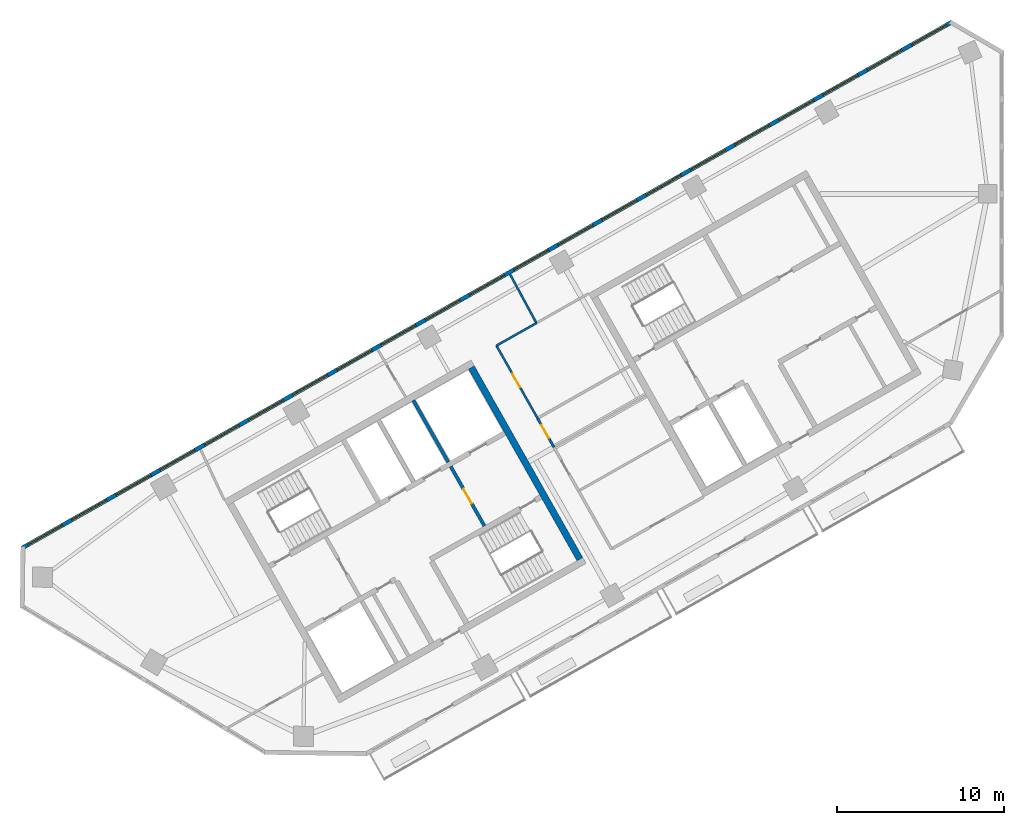
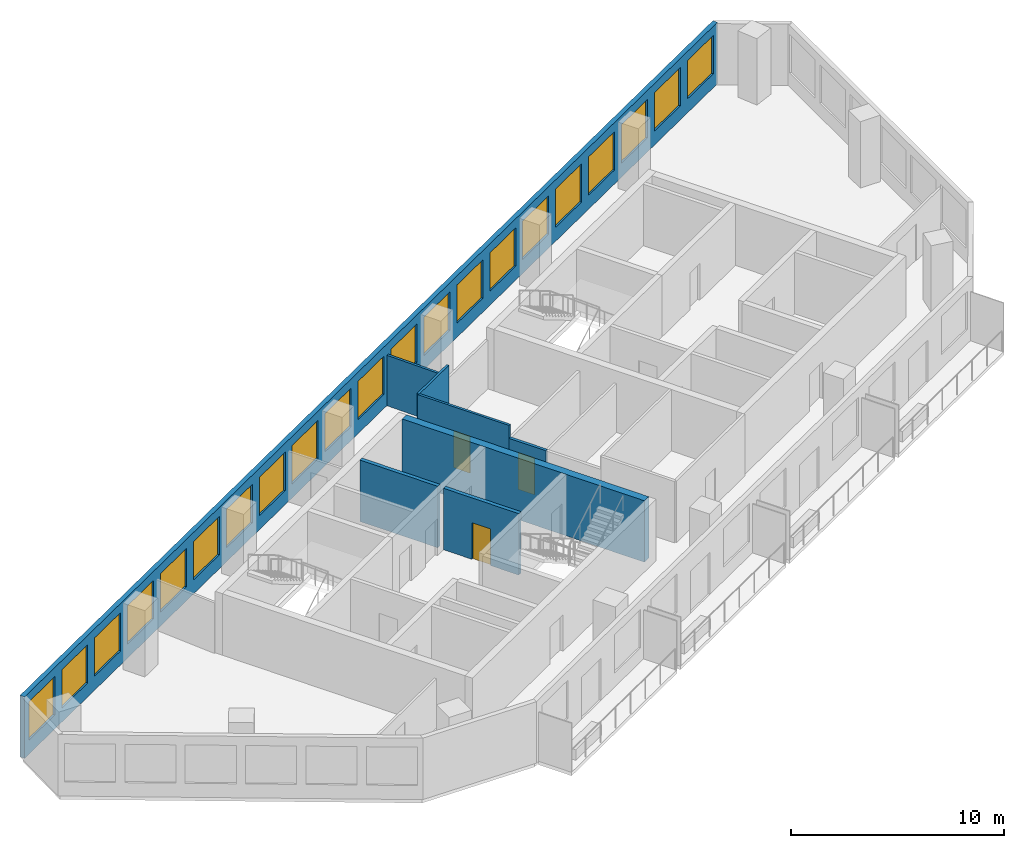
# One storey, part 3 of 7: 21 windows, 8 walls, 3 doors, 24 openings.
"""IFC4 building model written with IfcOpenShell, lengths in metres."""

from ifc_helpers import new_model, si_unit, direction, frame, frame_2d, origin, place, context, subcontext, project, spatial, rectangle, extrude, material, layer, layer_set, type_object, element, fill, save


model = new_model("IFC4")

# Units and contexts
model_context = context("Model", 3, precision=1e-05, world=origin(), true_north=direction((0.0, 1.0)))
body_context = subcontext(model_context, "Body", "Model", "MODEL_VIEW")
ifc_project = project(units=[si_unit("LENGTHUNIT", "METRE"), si_unit("AREAUNIT", "SQUARE_METRE"), si_unit("VOLUMEUNIT", "CUBIC_METRE"), si_unit("PLANEANGLEUNIT", "RADIAN"), si_unit("MASSUNIT", "GRAM", prefix="KILO")], contexts=[model_context])

# Site, building, storey
site_placement = place(None, origin())
site = spatial("IfcSite", under=ifc_project, at=site_placement, CompositionType="ELEMENT")
building_placement = place(site_placement, origin())
building = spatial("IfcBuilding", under=site, at=building_placement, Name="Binnacle Exchange Tower", CompositionType="ELEMENT")
storey_placement = place(building_placement, frame((0.0, 0.0, 274.10009765625)))
storey = spatial("IfcBuildingStorey", under=building, at=storey_placement, Name="L61", CompositionType="ELEMENT", Elevation=274.10009765625)

# Wall
ifc_material_1 = material(Name="Concrete C70/85", Category="concrete")
ifc_layer_1 = layer(ifc_material_1, 0.39990234375)
ifc_layer_set_1 = layer_set([ifc_layer_1], Name="Core wall - outer 400")
wall_type_1 = type_object("IfcWallType", Name="Core wall - outer 400", PredefinedType="SOLIDWALL", material=ifc_layer_set_1)
wall_1_placement = place(storey_placement, frame((-31.78955078125, 49.597412109375, 0.0), z_axis=(0.0, 0.0, 1.0), x_axis=(0.492421663121, -0.870356769198, 0.0)))
element("IfcWall", 1, at=wall_1_placement, inside=storey, type_object=wall_type_1, Name="Core wall CRWA22", PredefinedType="SOLIDWALL", context=body_context, shape_type="SweptSolid", body=[
    extrude(rectangle(XDim=13.199951171875, YDim=0.39990234375, at=frame_2d((6.60009765625, 0.0))), origin(), (0.0, 0.0, 1.0), 3.52001953125),
])

# Wall, openings, windows
ifc_material_2 = material(Name="Bronze aluminium cladding", Category="aluminium")
ifc_layer_2 = layer(ifc_material_2, 0.25)
ifc_layer_set_2 = layer_set([ifc_layer_2], Name="External wall - window wall 250")
wall_type_2 = type_object("IfcWallType", Name="External wall - window wall 250", PredefinedType="STANDARD", material=ifc_layer_set_2)
wall_2_placement = place(storey_placement, frame((-58.732177734375, 38.770751953125, 0.0), z_axis=(0.0, 0.0, 1.0), x_axis=(0.870355615581, 0.492423702137, 0.0)))
wall_2 = element("IfcWall", 2, at=wall_2_placement, inside=storey, type_object=wall_type_2, Name="External wall EW-H03 L61", PredefinedType="STANDARD", context=body_context, shape_type="SweptSolid", body=[
    extrude(rectangle(XDim=64.052490234375, YDim=0.25, at=frame_2d((32.0263671875, 0.0))), origin(), (0.0, 0.0, 1.0), 3.52001953125),
])
opening_1_placement = place(wall_2_placement, frame((61.25927734375, 0.0, 0.800048828125)))
opening_1 = element("IfcOpeningElement", 3, at=opening_1_placement, cuts=wall_2, Name="Opening WR2", PredefinedType="OPENING", context=body_context, shape_type="SweptSolid", body=[
    extrude(rectangle(XDim=2.39990234375, YDim=2.199951171875, at=frame_2d((1.199951171875, 1.10009765625))), frame((0.0, 0.135009765625, 0.0), z_axis=(0.0, -1.0, 0.0), x_axis=(1.0, 0.0, 0.0)), (0.0, 0.0, 1.0), 0.27001953125),
])
opening_2_placement = place(wall_2_placement, frame((58.2158203125, 0.0, 0.800048828125)))
opening_2 = element("IfcOpeningElement", 4, at=opening_2_placement, cuts=wall_2, Name="Opening WR2", PredefinedType="OPENING", context=body_context, shape_type="SweptSolid", body=[
    extrude(rectangle(XDim=2.39990234375, YDim=2.199951171875, at=frame_2d((1.199951171875, 1.10009765625))), frame((0.0, 0.135009765625, 0.0), z_axis=(0.0, -1.0, 0.0), x_axis=(1.0, 0.0, 0.0)), (0.0, 0.0, 1.0), 0.27001953125),
])
opening_3_placement = place(wall_2_placement, frame((55.172607421875, 0.0, 0.800048828125)))
opening_3 = element("IfcOpeningElement", 5, at=opening_3_placement, cuts=wall_2, Name="Opening WR2", PredefinedType="OPENING", context=body_context, shape_type="SweptSolid", body=[
    extrude(rectangle(XDim=2.39990234375, YDim=2.199951171875, at=frame_2d((1.199951171875, 1.10009765625))), frame((0.0, 0.135009765625, 0.0), z_axis=(0.0, -1.0, 0.0), x_axis=(1.0, 0.0, 0.0)), (0.0, 0.0, 1.0), 0.27001953125),
])
opening_4_placement = place(wall_2_placement, frame((52.12939453125, 0.0, 0.800048828125)))
opening_4 = element("IfcOpeningElement", 6, at=opening_4_placement, cuts=wall_2, Name="Opening WR2", PredefinedType="OPENING", context=body_context, shape_type="SweptSolid", body=[
    extrude(rectangle(XDim=2.39990234375, YDim=2.199951171875, at=frame_2d((1.199951171875, 1.10009765625))), frame((0.0, 0.135009765625, 0.0), z_axis=(0.0, -1.0, 0.0), x_axis=(1.0, 0.0, 0.0)), (0.0, 0.0, 1.0), 0.27001953125),
])
opening_5_placement = place(wall_2_placement, frame((49.0859375, 0.0, 0.800048828125)))
opening_5 = element("IfcOpeningElement", 7, at=opening_5_placement, cuts=wall_2, Name="Opening WR2", PredefinedType="OPENING", context=body_context, shape_type="SweptSolid", body=[
    extrude(rectangle(XDim=2.39990234375, YDim=2.199951171875, at=frame_2d((1.199951171875, 1.10009765625))), frame((0.0, 0.135009765625, 0.0), z_axis=(0.0, -1.0, 0.0), x_axis=(1.0, 0.0, 0.0)), (0.0, 0.0, 1.0), 0.27001953125),
])
opening_6_placement = place(wall_2_placement, frame((46.042724609375, 0.0, 0.800048828125)))
opening_6 = element("IfcOpeningElement", 8, at=opening_6_placement, cuts=wall_2, Name="Opening WR2", PredefinedType="OPENING", context=body_context, shape_type="SweptSolid", body=[
    extrude(rectangle(XDim=2.39990234375, YDim=2.199951171875, at=frame_2d((1.199951171875, 1.10009765625))), frame((0.0, 0.135009765625, 0.0), z_axis=(0.0, -1.0, 0.0), x_axis=(1.0, 0.0, 0.0)), (0.0, 0.0, 1.0), 0.27001953125),
])
opening_7_placement = place(wall_2_placement, frame((42.99951171875, 0.0, 0.800048828125)))
opening_7 = element("IfcOpeningElement", 9, at=opening_7_placement, cuts=wall_2, Name="Opening WR2", PredefinedType="OPENING", context=body_context, shape_type="SweptSolid", body=[
    extrude(rectangle(XDim=2.39990234375, YDim=2.199951171875, at=frame_2d((1.199951171875, 1.10009765625))), frame((0.0, 0.135009765625, 0.0), z_axis=(0.0, -1.0, 0.0), x_axis=(1.0, 0.0, 0.0)), (0.0, 0.0, 1.0), 0.27001953125),
])
opening_8_placement = place(wall_2_placement, frame((39.956298828125, 0.0, 0.800048828125)))
opening_8 = element("IfcOpeningElement", 10, at=opening_8_placement, cuts=wall_2, Name="Opening WR2", PredefinedType="OPENING", context=body_context, shape_type="SweptSolid", body=[
    extrude(rectangle(XDim=2.39990234375, YDim=2.199951171875, at=frame_2d((1.199951171875, 1.10009765625))), frame((0.0, 0.135009765625, 0.0), z_axis=(0.0, -1.0, 0.0), x_axis=(1.0, 0.0, 0.0)), (0.0, 0.0, 1.0), 0.27001953125),
])
opening_9_placement = place(wall_2_placement, frame((36.912841796875, 0.0, 0.800048828125)))
opening_9 = element("IfcOpeningElement", 11, at=opening_9_placement, cuts=wall_2, Name="Opening WR2", PredefinedType="OPENING", context=body_context, shape_type="SweptSolid", body=[
    extrude(rectangle(XDim=2.39990234375, YDim=2.199951171875, at=frame_2d((1.199951171875, 1.10009765625))), frame((0.0, 0.135009765625, 0.0), z_axis=(0.0, -1.0, 0.0), x_axis=(1.0, 0.0, 0.0)), (0.0, 0.0, 1.0), 0.27001953125),
])
opening_10_placement = place(wall_2_placement, frame((33.86962890625, 0.0, 0.800048828125)))
opening_10 = element("IfcOpeningElement", 12, at=opening_10_placement, cuts=wall_2, Name="Opening WR2", PredefinedType="OPENING", context=body_context, shape_type="SweptSolid", body=[
    extrude(rectangle(XDim=2.39990234375, YDim=2.199951171875, at=frame_2d((1.199951171875, 1.10009765625))), frame((0.0, 0.135009765625, 0.0), z_axis=(0.0, -1.0, 0.0), x_axis=(1.0, 0.0, 0.0)), (0.0, 0.0, 1.0), 0.27001953125),
])
opening_11_placement = place(wall_2_placement, frame((30.826416015625, 0.0, 0.800048828125)))
opening_11 = element("IfcOpeningElement", 13, at=opening_11_placement, cuts=wall_2, Name="Opening WR2", PredefinedType="OPENING", context=body_context, shape_type="SweptSolid", body=[
    extrude(rectangle(XDim=2.39990234375, YDim=2.199951171875, at=frame_2d((1.199951171875, 1.10009765625))), frame((0.0, 0.135009765625, 0.0), z_axis=(0.0, -1.0, 0.0), x_axis=(1.0, 0.0, 0.0)), (0.0, 0.0, 1.0), 0.27001953125),
])
opening_12_placement = place(wall_2_placement, frame((27.782958984375, 0.0, 0.800048828125)))
opening_12 = element("IfcOpeningElement", 14, at=opening_12_placement, cuts=wall_2, Name="Opening WR2", PredefinedType="OPENING", context=body_context, shape_type="SweptSolid", body=[
    extrude(rectangle(XDim=2.39990234375, YDim=2.199951171875, at=frame_2d((1.199951171875, 1.10009765625))), frame((0.0, 0.135009765625, 0.0), z_axis=(0.0, -1.0, 0.0), x_axis=(1.0, 0.0, 0.0)), (0.0, 0.0, 1.0), 0.27001953125),
])
opening_13_placement = place(wall_2_placement, frame((24.73974609375, 0.0, 0.800048828125)))
opening_13 = element("IfcOpeningElement", 15, at=opening_13_placement, cuts=wall_2, Name="Opening WR2", PredefinedType="OPENING", context=body_context, shape_type="SweptSolid", body=[
    extrude(rectangle(XDim=2.39990234375, YDim=2.199951171875, at=frame_2d((1.199951171875, 1.10009765625))), frame((0.0, 0.135009765625, 0.0), z_axis=(0.0, -1.0, 0.0), x_axis=(1.0, 0.0, 0.0)), (0.0, 0.0, 1.0), 0.27001953125),
])
opening_14_placement = place(wall_2_placement, frame((21.6962890625, 0.0, 0.800048828125)))
opening_14 = element("IfcOpeningElement", 16, at=opening_14_placement, cuts=wall_2, Name="Opening WR2", PredefinedType="OPENING", context=body_context, shape_type="SweptSolid", body=[
    extrude(rectangle(XDim=2.39990234375, YDim=2.199951171875, at=frame_2d((1.199951171875, 1.10009765625))), frame((0.0, 0.135009765625, 0.0), z_axis=(0.0, -1.0, 0.0), x_axis=(1.0, 0.0, 0.0)), (0.0, 0.0, 1.0), 0.27001953125),
])
opening_15_placement = place(wall_2_placement, frame((18.6533203125, 0.0, 0.800048828125)))
opening_15 = element("IfcOpeningElement", 17, at=opening_15_placement, cuts=wall_2, Name="Opening WR2", PredefinedType="OPENING", context=body_context, shape_type="SweptSolid", body=[
    extrude(rectangle(XDim=2.39990234375, YDim=2.199951171875, at=frame_2d((1.199951171875, 1.10009765625))), frame((0.0, 0.135009765625, 0.0), z_axis=(0.0, -1.0, 0.0), x_axis=(1.0, 0.0, 0.0)), (0.0, 0.0, 1.0), 0.27001953125),
])
opening_16_placement = place(wall_2_placement, frame((15.60986328125, 0.0, 0.800048828125)))
opening_16 = element("IfcOpeningElement", 18, at=opening_16_placement, cuts=wall_2, Name="Opening WR2", PredefinedType="OPENING", context=body_context, shape_type="SweptSolid", body=[
    extrude(rectangle(XDim=2.39990234375, YDim=2.199951171875, at=frame_2d((1.199951171875, 1.10009765625))), frame((0.0, 0.135009765625, 0.0), z_axis=(0.0, -1.0, 0.0), x_axis=(1.0, 0.0, 0.0)), (0.0, 0.0, 1.0), 0.27001953125),
])
opening_17_placement = place(wall_2_placement, frame((12.566650390625, 0.0, 0.800048828125)))
opening_17 = element("IfcOpeningElement", 19, at=opening_17_placement, cuts=wall_2, Name="Opening WR2", PredefinedType="OPENING", context=body_context, shape_type="SweptSolid", body=[
    extrude(rectangle(XDim=2.39990234375, YDim=2.199951171875, at=frame_2d((1.199951171875, 1.10009765625))), frame((0.0, 0.135009765625, 0.0), z_axis=(0.0, -1.0, 0.0), x_axis=(1.0, 0.0, 0.0)), (0.0, 0.0, 1.0), 0.27001953125),
])
opening_18_placement = place(wall_2_placement, frame((9.523193359375, 0.0, 0.800048828125)))
opening_18 = element("IfcOpeningElement", 20, at=opening_18_placement, cuts=wall_2, Name="Opening WR2", PredefinedType="OPENING", context=body_context, shape_type="SweptSolid", body=[
    extrude(rectangle(XDim=2.39990234375, YDim=2.199951171875, at=frame_2d((1.199951171875, 1.10009765625))), frame((0.0, 0.135009765625, 0.0), z_axis=(0.0, -1.0, 0.0), x_axis=(1.0, 0.0, 0.0)), (0.0, 0.0, 1.0), 0.27001953125),
])
opening_19_placement = place(wall_2_placement, frame((6.47998046875, 0.0, 0.800048828125)))
opening_19 = element("IfcOpeningElement", 21, at=opening_19_placement, cuts=wall_2, Name="Opening WR2", PredefinedType="OPENING", context=body_context, shape_type="SweptSolid", body=[
    extrude(rectangle(XDim=2.39990234375, YDim=2.199951171875, at=frame_2d((1.199951171875, 1.10009765625))), frame((0.0, 0.135009765625, 0.0), z_axis=(0.0, -1.0, 0.0), x_axis=(1.0, 0.0, 0.0)), (0.0, 0.0, 1.0), 0.27001953125),
])
opening_20_placement = place(wall_2_placement, frame((3.436767578125, 0.0, 0.800048828125)))
opening_20 = element("IfcOpeningElement", 22, at=opening_20_placement, cuts=wall_2, Name="Opening WR2", PredefinedType="OPENING", context=body_context, shape_type="SweptSolid", body=[
    extrude(rectangle(XDim=2.39990234375, YDim=2.199951171875, at=frame_2d((1.199951171875, 1.10009765625))), frame((0.0, 0.135009765625, 0.0), z_axis=(0.0, -1.0, 0.0), x_axis=(1.0, 0.0, 0.0)), (0.0, 0.0, 1.0), 0.27001953125),
])
opening_21_placement = place(wall_2_placement, frame((0.393310546875, 0.0, 0.800048828125)))
opening_21 = element("IfcOpeningElement", 23, at=opening_21_placement, cuts=wall_2, Name="Opening WR2", PredefinedType="OPENING", context=body_context, shape_type="SweptSolid", body=[
    extrude(rectangle(XDim=2.39990234375, YDim=2.199951171875, at=frame_2d((1.199951171875, 1.10009765625))), frame((0.0, 0.135009765625, 0.0), z_axis=(0.0, -1.0, 0.0), x_axis=(1.0, 0.0, 0.0)), (0.0, 0.0, 1.0), 0.27001953125),
])
ifc_material_3 = material(Name="Bronze anodised aluminium frame", Category="aluminium")
window_type = type_object("IfcWindowType", Name="WR2 WINDOW 2400x2200", PartitioningType="SINGLE_PANEL", PredefinedType="WINDOW", material=ifc_material_3)
window_1_placement = place(opening_1_placement, origin())
window_1 = element("IfcWindow", 24, at=window_1_placement, inside=storey, type_object=window_type, Name="Window WR2 L61", OverallHeight=2.199951171875, OverallWidth=2.39990234375, PartitioningType="SINGLE_PANEL", PredefinedType="WINDOW", context=body_context, shape_type="SweptSolid", body=[
    extrude(rectangle(XDim=2.39990234375, YDim=2.199951171875, at=frame_2d((1.199951171875, 1.10009765625))), frame((0.0, 0.030029296875, 0.0), z_axis=(0.0, -1.0, 0.0), x_axis=(1.0, 0.0, 0.0)), (0.0, 0.0, 1.0), 0.06005859375),
])
fill(opening_1, window_1)
window_2_placement = place(opening_2_placement, origin())
window_2 = element("IfcWindow", 25, at=window_2_placement, inside=storey, type_object=window_type, Name="Window WR2 L61", OverallHeight=2.199951171875, OverallWidth=2.39990234375, PartitioningType="SINGLE_PANEL", PredefinedType="WINDOW", context=body_context, shape_type="SweptSolid", body=[
    extrude(rectangle(XDim=2.39990234375, YDim=2.199951171875, at=frame_2d((1.199951171875, 1.10009765625))), frame((0.0, 0.030029296875, 0.0), z_axis=(0.0, -1.0, 0.0), x_axis=(1.0, 0.0, 0.0)), (0.0, 0.0, 1.0), 0.06005859375),
])
fill(opening_2, window_2)
window_3_placement = place(opening_3_placement, origin())
window_3 = element("IfcWindow", 26, at=window_3_placement, inside=storey, type_object=window_type, Name="Window WR2 L61", OverallHeight=2.199951171875, OverallWidth=2.39990234375, PartitioningType="SINGLE_PANEL", PredefinedType="WINDOW", context=body_context, shape_type="SweptSolid", body=[
    extrude(rectangle(XDim=2.39990234375, YDim=2.199951171875, at=frame_2d((1.199951171875, 1.10009765625))), frame((0.0, 0.030029296875, 0.0), z_axis=(0.0, -1.0, 0.0), x_axis=(1.0, 0.0, 0.0)), (0.0, 0.0, 1.0), 0.06005859375),
])
fill(opening_3, window_3)
window_4_placement = place(opening_4_placement, origin())
window_4 = element("IfcWindow", 27, at=window_4_placement, inside=storey, type_object=window_type, Name="Window WR2 L61", OverallHeight=2.199951171875, OverallWidth=2.39990234375, PartitioningType="SINGLE_PANEL", PredefinedType="WINDOW", context=body_context, shape_type="SweptSolid", body=[
    extrude(rectangle(XDim=2.39990234375, YDim=2.199951171875, at=frame_2d((1.199951171875, 1.10009765625))), frame((0.0, 0.030029296875, 0.0), z_axis=(0.0, -1.0, 0.0), x_axis=(1.0, 0.0, 0.0)), (0.0, 0.0, 1.0), 0.06005859375),
])
fill(opening_4, window_4)
window_5_placement = place(opening_5_placement, origin())
window_5 = element("IfcWindow", 28, at=window_5_placement, inside=storey, type_object=window_type, Name="Window WR2 L61", OverallHeight=2.199951171875, OverallWidth=2.39990234375, PartitioningType="SINGLE_PANEL", PredefinedType="WINDOW", context=body_context, shape_type="SweptSolid", body=[
    extrude(rectangle(XDim=2.39990234375, YDim=2.199951171875, at=frame_2d((1.199951171875, 1.10009765625))), frame((0.0, 0.030029296875, 0.0), z_axis=(0.0, -1.0, 0.0), x_axis=(1.0, 0.0, 0.0)), (0.0, 0.0, 1.0), 0.06005859375),
])
fill(opening_5, window_5)
window_6_placement = place(opening_6_placement, origin())
window_6 = element("IfcWindow", 29, at=window_6_placement, inside=storey, type_object=window_type, Name="Window WR2 L61", OverallHeight=2.199951171875, OverallWidth=2.39990234375, PartitioningType="SINGLE_PANEL", PredefinedType="WINDOW", context=body_context, shape_type="SweptSolid", body=[
    extrude(rectangle(XDim=2.39990234375, YDim=2.199951171875, at=frame_2d((1.199951171875, 1.10009765625))), frame((0.0, 0.030029296875, 0.0), z_axis=(0.0, -1.0, 0.0), x_axis=(1.0, 0.0, 0.0)), (0.0, 0.0, 1.0), 0.06005859375),
])
fill(opening_6, window_6)
window_7_placement = place(opening_7_placement, origin())
window_7 = element("IfcWindow", 30, at=window_7_placement, inside=storey, type_object=window_type, Name="Window WR2 L61", OverallHeight=2.199951171875, OverallWidth=2.39990234375, PartitioningType="SINGLE_PANEL", PredefinedType="WINDOW", context=body_context, shape_type="SweptSolid", body=[
    extrude(rectangle(XDim=2.39990234375, YDim=2.199951171875, at=frame_2d((1.199951171875, 1.10009765625))), frame((0.0, 0.030029296875, 0.0), z_axis=(0.0, -1.0, 0.0), x_axis=(1.0, 0.0, 0.0)), (0.0, 0.0, 1.0), 0.06005859375),
])
fill(opening_7, window_7)
window_8_placement = place(opening_8_placement, origin())
window_8 = element("IfcWindow", 31, at=window_8_placement, inside=storey, type_object=window_type, Name="Window WR2 L61", OverallHeight=2.199951171875, OverallWidth=2.39990234375, PartitioningType="SINGLE_PANEL", PredefinedType="WINDOW", context=body_context, shape_type="SweptSolid", body=[
    extrude(rectangle(XDim=2.39990234375, YDim=2.199951171875, at=frame_2d((1.199951171875, 1.10009765625))), frame((0.0, 0.030029296875, 0.0), z_axis=(0.0, -1.0, 0.0), x_axis=(1.0, 0.0, 0.0)), (0.0, 0.0, 1.0), 0.06005859375),
])
fill(opening_8, window_8)
window_9_placement = place(opening_9_placement, origin())
window_9 = element("IfcWindow", 32, at=window_9_placement, inside=storey, type_object=window_type, Name="Window WR2 L61", OverallHeight=2.199951171875, OverallWidth=2.39990234375, PartitioningType="SINGLE_PANEL", PredefinedType="WINDOW", context=body_context, shape_type="SweptSolid", body=[
    extrude(rectangle(XDim=2.39990234375, YDim=2.199951171875, at=frame_2d((1.199951171875, 1.10009765625))), frame((0.0, 0.030029296875, 0.0), z_axis=(0.0, -1.0, 0.0), x_axis=(1.0, 0.0, 0.0)), (0.0, 0.0, 1.0), 0.06005859375),
])
fill(opening_9, window_9)
window_10_placement = place(opening_10_placement, origin())
window_10 = element("IfcWindow", 33, at=window_10_placement, inside=storey, type_object=window_type, Name="Window WR2 L61", OverallHeight=2.199951171875, OverallWidth=2.39990234375, PartitioningType="SINGLE_PANEL", PredefinedType="WINDOW", context=body_context, shape_type="SweptSolid", body=[
    extrude(rectangle(XDim=2.39990234375, YDim=2.199951171875, at=frame_2d((1.199951171875, 1.10009765625))), frame((0.0, 0.030029296875, 0.0), z_axis=(0.0, -1.0, 0.0), x_axis=(1.0, 0.0, 0.0)), (0.0, 0.0, 1.0), 0.06005859375),
])
fill(opening_10, window_10)
window_11_placement = place(opening_11_placement, origin())
window_11 = element("IfcWindow", 34, at=window_11_placement, inside=storey, type_object=window_type, Name="Window WR2 L61", OverallHeight=2.199951171875, OverallWidth=2.39990234375, PartitioningType="SINGLE_PANEL", PredefinedType="WINDOW", context=body_context, shape_type="SweptSolid", body=[
    extrude(rectangle(XDim=2.39990234375, YDim=2.199951171875, at=frame_2d((1.199951171875, 1.10009765625))), frame((0.0, 0.030029296875, 0.0), z_axis=(0.0, -1.0, 0.0), x_axis=(1.0, 0.0, 0.0)), (0.0, 0.0, 1.0), 0.06005859375),
])
fill(opening_11, window_11)
window_12_placement = place(opening_12_placement, origin())
window_12 = element("IfcWindow", 35, at=window_12_placement, inside=storey, type_object=window_type, Name="Window WR2 L61", OverallHeight=2.199951171875, OverallWidth=2.39990234375, PartitioningType="SINGLE_PANEL", PredefinedType="WINDOW", context=body_context, shape_type="SweptSolid", body=[
    extrude(rectangle(XDim=2.39990234375, YDim=2.199951171875, at=frame_2d((1.199951171875, 1.10009765625))), frame((0.0, 0.030029296875, 0.0), z_axis=(0.0, -1.0, 0.0), x_axis=(1.0, 0.0, 0.0)), (0.0, 0.0, 1.0), 0.06005859375),
])
fill(opening_12, window_12)
window_13_placement = place(opening_13_placement, origin())
window_13 = element("IfcWindow", 36, at=window_13_placement, inside=storey, type_object=window_type, Name="Window WR2 L61", OverallHeight=2.199951171875, OverallWidth=2.39990234375, PartitioningType="SINGLE_PANEL", PredefinedType="WINDOW", context=body_context, shape_type="SweptSolid", body=[
    extrude(rectangle(XDim=2.39990234375, YDim=2.199951171875, at=frame_2d((1.199951171875, 1.10009765625))), frame((0.0, 0.030029296875, 0.0), z_axis=(0.0, -1.0, 0.0), x_axis=(1.0, 0.0, 0.0)), (0.0, 0.0, 1.0), 0.06005859375),
])
fill(opening_13, window_13)
window_14_placement = place(opening_14_placement, origin())
window_14 = element("IfcWindow", 37, at=window_14_placement, inside=storey, type_object=window_type, Name="Window WR2 L61", OverallHeight=2.199951171875, OverallWidth=2.39990234375, PartitioningType="SINGLE_PANEL", PredefinedType="WINDOW", context=body_context, shape_type="SweptSolid", body=[
    extrude(rectangle(XDim=2.39990234375, YDim=2.199951171875, at=frame_2d((1.199951171875, 1.10009765625))), frame((0.0, 0.030029296875, 0.0), z_axis=(0.0, -1.0, 0.0), x_axis=(1.0, 0.0, 0.0)), (0.0, 0.0, 1.0), 0.06005859375),
])
fill(opening_14, window_14)
window_15_placement = place(opening_15_placement, origin())
window_15 = element("IfcWindow", 38, at=window_15_placement, inside=storey, type_object=window_type, Name="Window WR2 L61", OverallHeight=2.199951171875, OverallWidth=2.39990234375, PartitioningType="SINGLE_PANEL", PredefinedType="WINDOW", context=body_context, shape_type="SweptSolid", body=[
    extrude(rectangle(XDim=2.39990234375, YDim=2.199951171875, at=frame_2d((1.199951171875, 1.10009765625))), frame((0.0, 0.030029296875, 0.0), z_axis=(0.0, -1.0, 0.0), x_axis=(1.0, 0.0, 0.0)), (0.0, 0.0, 1.0), 0.06005859375),
])
fill(opening_15, window_15)
window_16_placement = place(opening_16_placement, origin())
window_16 = element("IfcWindow", 39, at=window_16_placement, inside=storey, type_object=window_type, Name="Window WR2 L61", OverallHeight=2.199951171875, OverallWidth=2.39990234375, PartitioningType="SINGLE_PANEL", PredefinedType="WINDOW", context=body_context, shape_type="SweptSolid", body=[
    extrude(rectangle(XDim=2.39990234375, YDim=2.199951171875, at=frame_2d((1.199951171875, 1.10009765625))), frame((0.0, 0.030029296875, 0.0), z_axis=(0.0, -1.0, 0.0), x_axis=(1.0, 0.0, 0.0)), (0.0, 0.0, 1.0), 0.06005859375),
])
fill(opening_16, window_16)
window_17_placement = place(opening_17_placement, origin())
window_17 = element("IfcWindow", 40, at=window_17_placement, inside=storey, type_object=window_type, Name="Window WR2 L61", OverallHeight=2.199951171875, OverallWidth=2.39990234375, PartitioningType="SINGLE_PANEL", PredefinedType="WINDOW", context=body_context, shape_type="SweptSolid", body=[
    extrude(rectangle(XDim=2.39990234375, YDim=2.199951171875, at=frame_2d((1.199951171875, 1.10009765625))), frame((0.0, 0.030029296875, 0.0), z_axis=(0.0, -1.0, 0.0), x_axis=(1.0, 0.0, 0.0)), (0.0, 0.0, 1.0), 0.06005859375),
])
fill(opening_17, window_17)
window_18_placement = place(opening_18_placement, origin())
window_18 = element("IfcWindow", 41, at=window_18_placement, inside=storey, type_object=window_type, Name="Window WR2 L61", OverallHeight=2.199951171875, OverallWidth=2.39990234375, PartitioningType="SINGLE_PANEL", PredefinedType="WINDOW", context=body_context, shape_type="SweptSolid", body=[
    extrude(rectangle(XDim=2.39990234375, YDim=2.199951171875, at=frame_2d((1.199951171875, 1.10009765625))), frame((0.0, 0.030029296875, 0.0), z_axis=(0.0, -1.0, 0.0), x_axis=(1.0, 0.0, 0.0)), (0.0, 0.0, 1.0), 0.06005859375),
])
fill(opening_18, window_18)
window_19_placement = place(opening_19_placement, origin())
window_19 = element("IfcWindow", 42, at=window_19_placement, inside=storey, type_object=window_type, Name="Window WR2 L61", OverallHeight=2.199951171875, OverallWidth=2.39990234375, PartitioningType="SINGLE_PANEL", PredefinedType="WINDOW", context=body_context, shape_type="SweptSolid", body=[
    extrude(rectangle(XDim=2.39990234375, YDim=2.199951171875, at=frame_2d((1.199951171875, 1.10009765625))), frame((0.0, 0.030029296875, 0.0), z_axis=(0.0, -1.0, 0.0), x_axis=(1.0, 0.0, 0.0)), (0.0, 0.0, 1.0), 0.06005859375),
])
fill(opening_19, window_19)
window_20_placement = place(opening_20_placement, origin())
window_20 = element("IfcWindow", 43, at=window_20_placement, inside=storey, type_object=window_type, Name="Window WR2 L61", OverallHeight=2.199951171875, OverallWidth=2.39990234375, PartitioningType="SINGLE_PANEL", PredefinedType="WINDOW", context=body_context, shape_type="SweptSolid", body=[
    extrude(rectangle(XDim=2.39990234375, YDim=2.199951171875, at=frame_2d((1.199951171875, 1.10009765625))), frame((0.0, 0.030029296875, 0.0), z_axis=(0.0, -1.0, 0.0), x_axis=(1.0, 0.0, 0.0)), (0.0, 0.0, 1.0), 0.06005859375),
])
fill(opening_20, window_20)
window_21_placement = place(opening_21_placement, origin())
window_21 = element("IfcWindow", 44, at=window_21_placement, inside=storey, type_object=window_type, Name="Window WR2 L61", OverallHeight=2.199951171875, OverallWidth=2.39990234375, PartitioningType="SINGLE_PANEL", PredefinedType="WINDOW", context=body_context, shape_type="SweptSolid", body=[
    extrude(rectangle(XDim=2.39990234375, YDim=2.199951171875, at=frame_2d((1.199951171875, 1.10009765625))), frame((0.0, 0.030029296875, 0.0), z_axis=(0.0, -1.0, 0.0), x_axis=(1.0, 0.0, 0.0)), (0.0, 0.0, 1.0), 0.06005859375),
])
fill(opening_21, window_21)

# Wall, opening, door
ifc_material_4 = material(Name="Masonry block wall", Category="masonry")
ifc_layer_3 = layer(ifc_material_4, 0.199951171875)
ifc_layer_set_3 = layer_set([ifc_layer_3], Name="Fire wall - vestibule 200")
wall_type_3 = type_object("IfcWallType", Name="Fire wall - vestibule 200", PredefinedType="PARTITIONING", material=ifc_layer_set_3)
wall_3_placement = place(storey_placement, frame((-33.030517578125, 43.66748046875, 0.0), z_axis=(0.0, 0.0, 1.0), x_axis=(0.492408451753, -0.87036424366, 0.0)))
wall_3 = element("IfcWall", 45, at=wall_3_placement, inside=storey, type_object=wall_type_3, Name="Core wall CRWA19", PredefinedType="PARTITIONING", context=body_context, shape_type="SweptSolid", body=[
    extrude(rectangle(XDim=4.099853515625, YDim=0.199951171875, at=frame_2d((2.0498046875, 0.0))), origin(), (0.0, 0.0, 1.0), 3.52001953125),
])
opening_22_placement = place(wall_3_placement, frame((1.550048828125, 0.0, 0.0)))
opening_22 = element("IfcOpeningElement", 46, at=opening_22_placement, cuts=wall_3, Name="Opening DA4", PredefinedType="OPENING", context=body_context, shape_type="SweptSolid", body=[
    extrude(rectangle(XDim=1.0, YDim=2.10009765625, at=frame_2d((0.5, 1.050048828125))), frame((0.0, 0.10986328125, 0.0), z_axis=(0.0, -1.0, 0.0), x_axis=(1.0, 0.0, 0.0)), (0.0, 0.0, 1.0), 0.219970703125),
])
ifc_material_5 = material(Name="Steel door leaf", Category="steel")
door_type_1 = type_object("IfcDoorType", Name="Fire door 1000", OperationType="NOTDEFINED", PredefinedType="DOOR", material=ifc_material_5)
door_1_placement = place(opening_22_placement, origin())
door_1 = element("IfcDoor", 47, at=door_1_placement, inside=storey, type_object=door_type_1, Name="Vestibule door VEST-E", OperationType="SINGLE_SWING_RIGHT", OverallHeight=2.10009765625, OverallWidth=1.0, PredefinedType="DOOR", context=body_context, shape_type="SweptSolid", body=[
    extrude(rectangle(XDim=1.0, YDim=2.10009765625, at=frame_2d((0.5, 1.050048828125))), frame((0.0, 0.02490234375, 0.0), z_axis=(0.0, -1.0, 0.0), x_axis=(1.0, 0.0, 0.0)), (0.0, 0.0, 1.0), 0.050048828125),
])
fill(opening_22, door_1)

ifc_material_6 = material(Name="Gypsum partition fire rated")
ifc_layer_4 = layer(ifc_material_6, 0.14990234375)
ifc_layer_set_4 = layer_set([ifc_layer_4], Name="Fire-rated partition 150")
wall_type_4 = type_object("IfcWallType", Name="Fire-rated partition 150", PredefinedType="PARTITIONING", material=ifc_layer_set_4)
wall_4_placement = place(storey_placement, frame((-27.826904296875, 46.553955078125, 0.0), z_axis=(0.0, 0.0, 1.0), x_axis=(0.492374954878, -0.870383193662, 0.0)))
wall_4 = element("IfcWall", 48, at=wall_4_placement, inside=storey, type_object=wall_type_4, Name="Partition W08", PredefinedType="PARTITIONING", context=body_context, shape_type="SweptSolid", body=[
    extrude(rectangle(XDim=2.000244140625, YDim=0.14990234375, at=frame_2d((1.0, 0.0))), origin(), (0.0, 0.0, 1.0), 2.7919921875),
])
opening_23_placement = place(wall_4_placement, frame((0.449951171875, 0.0, 0.0)))
opening_23 = element("IfcOpeningElement", 49, at=opening_23_placement, cuts=wall_4, Name="Opening DL61-06", PredefinedType="OPENING", context=body_context, shape_type="SweptSolid", body=[
    extrude(rectangle(XDim=0.89990234375, YDim=2.10009765625, at=frame_2d((0.449951171875, 1.050048828125))), frame((0.0, 0.0849609375, 0.0), z_axis=(0.0, -1.0, 0.0), x_axis=(1.0, 0.0, 0.0)), (0.0, 0.0, 1.0), 0.169921875),
])
door_type_2 = type_object("IfcDoorType", Name="Fire door 900", OperationType="NOTDEFINED", PredefinedType="DOOR", material=ifc_material_5)
door_2_placement = place(opening_23_placement, origin())
door_2 = element("IfcDoor", 50, at=door_2_placement, inside=storey, type_object=door_type_2, Name="Door DL61-06", OperationType="SINGLE_SWING_LEFT", OverallHeight=2.10009765625, OverallWidth=0.89990234375, PredefinedType="DOOR", context=body_context, shape_type="SweptSolid", body=[
    extrude(rectangle(XDim=0.89990234375, YDim=2.10009765625, at=frame_2d((0.449951171875, 1.050048828125))), frame((0.0, 0.02490234375, 0.0), z_axis=(0.0, -1.0, 0.0), x_axis=(1.0, 0.0, 0.0)), (0.0, 0.0, 1.0), 0.050048828125),
])
fill(opening_23, door_2)

# Wall
ifc_material_7 = material(Name="Gypsum partition")
ifc_layer_5 = layer(ifc_material_7, 0.125)
ifc_layer_set_5 = layer_set([ifc_layer_5], Name="Partition 125")
wall_type_5 = type_object("IfcWallType", Name="Partition 125", PredefinedType="PARTITIONING", material=ifc_layer_set_5)
wall_5_placement = place(storey_placement, frame((-30.2890625, 50.906005859375, 0.0), z_axis=(0.0, 0.0, 1.0), x_axis=(0.870344460795, 0.492443417626, 0.0)))
element("IfcWall", 51, at=wall_5_placement, inside=storey, type_object=wall_type_5, Name="Partition W04", PredefinedType="PARTITIONING", context=body_context, shape_type="SweptSolid", body=[
    extrude(rectangle(XDim=2.74951171875, YDim=0.125, at=frame_2d((1.374755859375, 0.0))), origin(), (0.0, 0.0, 1.0), 3.52001953125),
])

# Wall, opening, door
wall_6_placement = place(storey_placement, frame((-30.2890625, 50.906005859375, 0.0), z_axis=(0.0, 0.0, 1.0), x_axis=(0.492406341242, -0.870365437678, 0.0)))
wall_6 = element("IfcWall", 52, at=wall_6_placement, inside=storey, type_object=wall_type_5, Name="Partition W05", PredefinedType="PARTITIONING", context=body_context, shape_type="SweptSolid", body=[
    extrude(rectangle(XDim=5.000244140625, YDim=0.125, at=frame_2d((2.5, 0.0))), origin(), (0.0, 0.0, 1.0), 3.52001953125),
])
opening_24_placement = place(wall_6_placement, frame((1.949951171875, 0.0, 0.0)))
opening_24 = element("IfcOpeningElement", 53, at=opening_24_placement, cuts=wall_6, Name="Opening DL61-03", PredefinedType="OPENING", context=body_context, shape_type="SweptSolid", body=[
    extrude(rectangle(XDim=0.89990234375, YDim=2.10009765625, at=frame_2d((0.449951171875, 1.050048828125))), frame((0.0, 0.072509765625, 0.0), z_axis=(0.0, -1.0, 0.0), x_axis=(1.0, 0.0, 0.0)), (0.0, 0.0, 1.0), 0.14501953125),
])
ifc_material_8 = material(Name="Timber door leaf", Category="wood")
door_type_3 = type_object("IfcDoorType", Name="Door 900", OperationType="NOTDEFINED", PredefinedType="DOOR", material=ifc_material_8)
door_3_placement = place(opening_24_placement, origin())
door_3 = element("IfcDoor", 54, at=door_3_placement, inside=storey, type_object=door_type_3, Name="Door DL61-03", OperationType="SINGLE_SWING_LEFT", OverallHeight=2.10009765625, OverallWidth=0.89990234375, PredefinedType="DOOR", context=body_context, shape_type="SweptSolid", body=[
    extrude(rectangle(XDim=0.89990234375, YDim=2.10009765625, at=frame_2d((0.449951171875, 1.050048828125))), frame((0.0, 0.02490234375, 0.0), z_axis=(0.0, -1.0, 0.0), x_axis=(1.0, 0.0, 0.0)), (0.0, 0.0, 1.0), 0.050048828125),
])
fill(opening_24, door_3)

# Walls
wall_7_placement = place(storey_placement, frame((-29.47412109375, 55.180908203125, 0.0), z_axis=(0.0, 0.0, 1.0), x_axis=(0.475344759365, -0.879799613403, 0.0)))
element("IfcWall", 55, at=wall_7_placement, inside=storey, type_object=wall_type_5, Name="Partition W06", PredefinedType="PARTITIONING", context=body_context, shape_type="SweptSolid", body=[
    extrude(rectangle(XDim=3.320068359375, YDim=0.125, at=frame_2d((1.66015625, 0.0))), origin(), (0.0, 0.0, 1.0), 2.887939453125),
])
ifc_layer_6 = layer(ifc_material_4, 0.199951171875)
ifc_layer_set_6 = layer_set([ifc_layer_6], Name="Shaft wall 200")
wall_type_6 = type_object("IfcWallType", Name="Shaft wall 200", PredefinedType="SOLIDWALL", material=ifc_layer_set_6)
wall_8_placement = place(storey_placement, frame((-35.27099609375, 47.627685546875, 0.0), z_axis=(0.0, 0.0, 1.0), x_axis=(0.492422543467, -0.870356271124, 0.0)))
element("IfcWall", 56, at=wall_8_placement, inside=storey, type_object=wall_type_6, Name="Core wall CRWA21", PredefinedType="SOLIDWALL", context=body_context, shape_type="SweptSolid", body=[
    extrude(rectangle(XDim=4.25, YDim=0.199951171875, at=frame_2d((2.125, 0.0))), origin(), (0.0, 0.0, 1.0), 3.52001953125),
])

save(model, "model.ifc")
